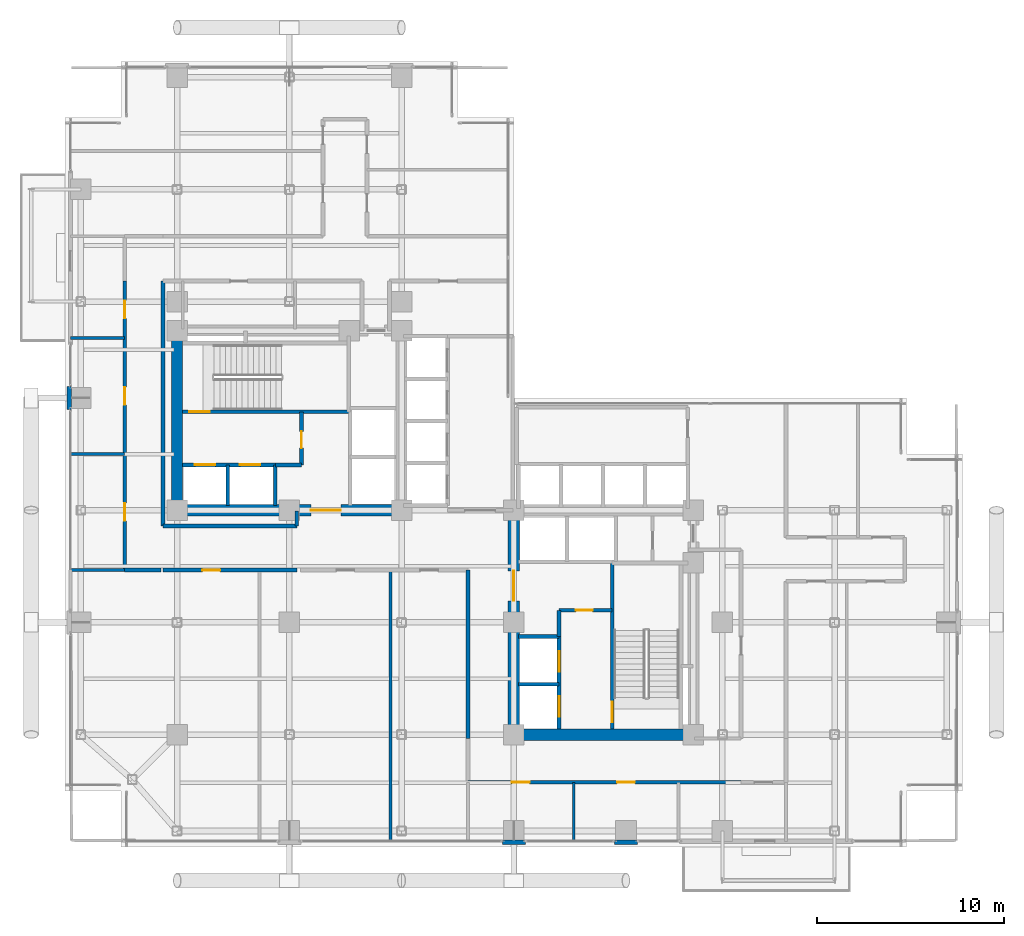
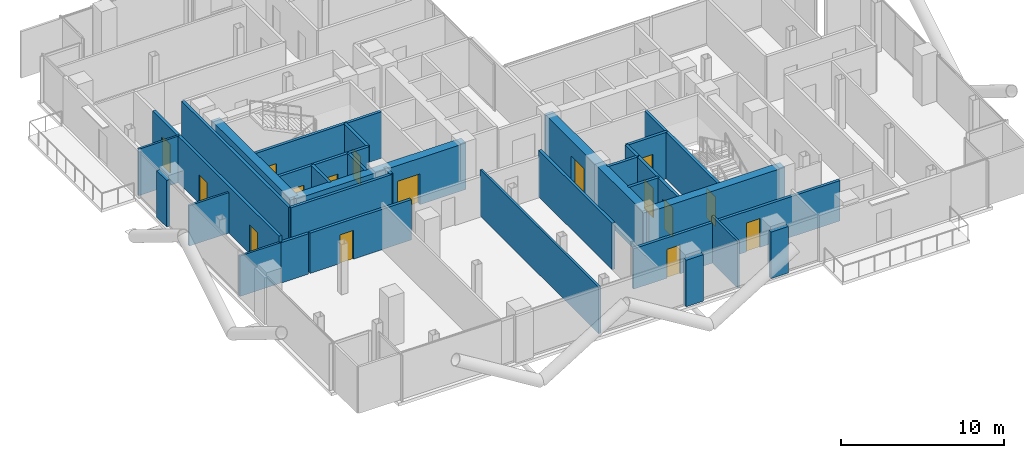
# One storey, part 22 of 28: 32 walls, 16 doors, 16 openings.
"""IFC4 building model written with IfcOpenShell, lengths in metres."""

import ifcopenshell
import ifcopenshell.guid

model = None  # the IFC model being written
_history = None  # IfcOwnerHistory: only IFC2X3 demands one
_inside = {}  # id of a spatial element -> (the spatial element, [elements in it])
_under = {}  # id of a project, library or spatial element -> (it, [spatial elements below it])
_declared = {}  # id of a project -> (the project, [libraries it declares])
_typed = {}  # id of a type object -> (the type object, [elements of that type])
_made_of = {}  # id of a material, layer set ... -> (it, [elements and type objects made of it])


def new_model(schema):
    """Start an empty IFC model of exactly this schema.

    Asked for "IFC4X3", IfcOpenShell would pick the latest addendum, in which some entities
    have other attributes; the version numbers below select the first issue.
    IFC2X3 requires an IfcOwnerHistory on every rooted entity: one is made here for all.
    """
    global model, _history
    if schema == "IFC4X3":
        model = ifcopenshell.file(schema_version=(4, 3, 0, 0))
    else:
        model = ifcopenshell.file(schema=schema)
    _inside.clear()
    _under.clear()
    _declared.clear()
    _typed.clear()
    _made_of.clear()
    _history = None
    if model.schema == "IFC2X3":
        org = make("IfcOrganization", Name="unknown")
        user = make(
            "IfcPersonAndOrganization",
            ThePerson=make("IfcPerson", FamilyName="unknown"),
            TheOrganization=org,
        )
        app = make(
            "IfcApplication",
            ApplicationDeveloper=org,
            Version="unknown",
            ApplicationFullName="unknown",
            ApplicationIdentifier="unknown",
        )
        _history = make(
            "IfcOwnerHistory",
            OwningUser=user,
            OwningApplication=app,
            ChangeAction="ADDED",
            CreationDate=0,
        )
    return model


def make(cls, **values):
    """One entity of the class cls with the attributes given. An attribute that is None is left unset."""
    return model.create_entity(
        cls, **{name: value for name, value in values.items() if value is not None}
    )


def rooted(cls, **values):
    """An entity with a GlobalId (a new one), such as an element, a storey or a relation."""
    return make(cls, GlobalId=ifcopenshell.guid.new(), OwnerHistory=_history, **values)


def si_unit(unit_type, name, prefix=None):
    """IfcSIUnit, for example si_unit("LENGTHUNIT", "METRE", prefix="MILLI")."""
    return make("IfcSIUnit", UnitType=unit_type, Prefix=prefix, Name=name)


def assignment(units):
    """IfcUnitAssignment: the units of a project."""
    return None if units is None else make("IfcUnitAssignment", Units=units)


def point(xyz):
    """IfcCartesianPoint."""
    return None if xyz is None else make("IfcCartesianPoint", Coordinates=xyz)


def direction(xyz):
    """IfcDirection."""
    return None if xyz is None else make("IfcDirection", DirectionRatios=xyz)


def frame(location, z_axis=None, x_axis=None):
    """IfcAxis2Placement3D, a coordinate frame: its origin and axes. An axis left out is left unset."""
    return make(
        "IfcAxis2Placement3D",
        Location=point(location),
        Axis=direction(z_axis),
        RefDirection=direction(x_axis),
    )


def frame_2d(location, x_axis=None):
    """IfcAxis2Placement2D, a coordinate frame in the plane: its origin and x axis."""
    return make(
        "IfcAxis2Placement2D", Location=point(location), RefDirection=direction(x_axis)
    )


def origin():
    """The frame at (0, 0, 0) with its axes left unset."""
    return frame((0.0, 0.0, 0.0))


def place(relative_to, where):
    """IfcLocalPlacement: puts the frame where relative to a parent placement (None: the world)."""
    return make(
        "IfcLocalPlacement", PlacementRelTo=relative_to, RelativePlacement=where
    )


def context(
    kind, dimensions, precision=None, world=None, true_north=None, identifier=None
):
    """IfcGeometricRepresentationContext, for example the 3D "Model" context."""
    return make(
        "IfcGeometricRepresentationContext",
        ContextIdentifier=identifier,
        ContextType=kind,
        CoordinateSpaceDimension=dimensions,
        Precision=precision,
        WorldCoordinateSystem=world,
        TrueNorth=true_north,
    )


def subcontext(parent, identifier, kind, view, scale=None):
    """IfcGeometricRepresentationSubContext, for example "Body" below "Model"."""
    return make(
        "IfcGeometricRepresentationSubContext",
        ContextIdentifier=identifier,
        ContextType=kind,
        ParentContext=parent,
        TargetScale=scale,
        TargetView=view,
    )


def project(units=None, contexts=None):
    """IfcProject with its units and contexts."""
    return rooted(
        "IfcProject",
        Name="project",
        RepresentationContexts=contexts,
        UnitsInContext=assignment(units),
    )


def spatial(cls, under=None, at=None, **own):
    """A site, building, storey or space (cls), placed at a placement, below another one or the project."""
    s = rooted(cls, ObjectPlacement=at, **own)
    if under is not None:
        _under.setdefault(under.id(), (under, []))[1].append(s)
    return s


def profile(cls, at=None, kind="AREA", **sizes):
    """A parametric profile (cls). Its sizes go by their IFC names, for example OverallWidth=200.0."""
    return make(cls, ProfileType=kind, Position=at, **sizes)


def rectangle(**sizes):
    """IfcRectangleProfileDef."""
    return profile("IfcRectangleProfileDef", **sizes)


def extrude(swept, where, along, depth):
    """IfcExtrudedAreaSolid: the profile swept, set in the frame where, extruded along a direction by depth."""
    return make(
        "IfcExtrudedAreaSolid",
        SweptArea=swept,
        Position=where,
        ExtrudedDirection=direction(along),
        Depth=depth,
    )


def shape(context_of_items, identifier, shape_type, items):
    """IfcShapeRepresentation: the items that make up one representation, for example the "Body"."""
    return make(
        "IfcShapeRepresentation",
        ContextOfItems=context_of_items,
        RepresentationIdentifier=identifier,
        RepresentationType=shape_type,
        Items=items,
    )


def material(Name=None, Category=None):
    """IfcMaterial."""
    return make("IfcMaterial", Name=Name, Category=Category)


def layer(
    of_material, thickness, ventilated=None, Name=None, Category=None, Priority=None
):
    """IfcMaterialLayer: one layer of a wall or slab, of a material (None: an air gap)."""
    return make(
        "IfcMaterialLayer",
        Material=of_material,
        LayerThickness=thickness,
        IsVentilated=ventilated,
        Name=Name,
        Category=Category,
        Priority=Priority,
    )


def layer_set(layers, Name=None):
    """IfcMaterialLayerSet."""
    return make("IfcMaterialLayerSet", MaterialLayers=layers, LayerSetName=Name)


def made_of(thing, what):
    """Note that an element or type object is made of a material, layer set ...; save() writes the relation."""
    if what is not None:
        _made_of.setdefault(what.id(), (what, []))[1].append(thing)
    return thing


def type_object(cls, material=None, **own):
    """A type object (cls), such as IfcWallType, which elements share."""
    return made_of(rooted(cls, **own), material)


def element(
    cls,
    number,
    at=None,
    inside=None,
    cuts=None,
    type_object=None,
    material=None,
    context=None,
    identifier="Body",
    shape_type=None,
    held_by="IfcProductDefinitionShape",
    body=None,
    shapes=None,
    **own,
):
    """One element of the class cls, such as IfcWall. Its Tag is "e" and its number.

    at: its placement. inside: the storey or other place that contains it. cuts: it is an
    opening in that element (IfcRelVoidsElement). A single representation is given by context,
    identifier, shape_type and body (its items); several are given by shapes. held_by: the class
    of the entity that holds the representations. save() writes the other relations.
    """
    e = rooted(cls, Tag="e%d" % number, ObjectPlacement=at, **own)
    if body is not None:
        shapes = [shape(context, identifier, shape_type, body)]
    if shapes is not None:
        e.Representation = make(held_by, Representations=shapes)
    if inside is not None:
        _inside.setdefault(inside.id(), (inside, []))[1].append(e)
    if cuts is not None:
        rooted(
            "IfcRelVoidsElement", RelatingBuildingElement=cuts, RelatedOpeningElement=e
        )
    if type_object is not None:
        _typed.setdefault(type_object.id(), (type_object, []))[1].append(e)
    return made_of(e, material)


def fill(opening, filler):
    """IfcRelFillsElement: the door or window that sits in an opening."""
    return rooted(
        "IfcRelFillsElement",
        RelatingOpeningElement=opening,
        RelatedBuildingElement=filler,
    )


def aggregate(whole, parts):
    """IfcRelAggregates: a whole, such as a stair, and the parts it consists of."""
    return rooted("IfcRelAggregates", RelatingObject=whole, RelatedObjects=parts)


def save(model, path):
    """Write the relations noted so far, then the file.

    IfcRelAggregates (storeys below a building ...), IfcRelContainedInSpatialStructure (elements
    in a storey), IfcRelDefinesByType, IfcRelAssociatesMaterial and IfcRelDeclares: one each for
    every whole, place, type object, material and project.
    """
    for whole, parts in _under.values():
        aggregate(whole, parts)
    for where, things in _inside.values():
        rooted(
            "IfcRelContainedInSpatialStructure",
            RelatedElements=things,
            RelatingStructure=where,
        )
    for kind, things in _typed.values():
        rooted("IfcRelDefinesByType", RelatedObjects=things, RelatingType=kind)
    for what, things in _made_of.values():
        rooted("IfcRelAssociatesMaterial", RelatedObjects=things, RelatingMaterial=what)
    for by, libraries in _declared.values():
        rooted("IfcRelDeclares", RelatingContext=by, RelatedDefinitions=libraries)
    model.write(path)


model = new_model("IFC4")

# Units and contexts
model_context = context("Model", 3, precision=1e-05, world=origin(), true_north=direction((0.0, 1.0)))
body_context = subcontext(model_context, "Body", "Model", "MODEL_VIEW")
ifc_project = project(units=[si_unit("LENGTHUNIT", "METRE"), si_unit("AREAUNIT", "SQUARE_METRE"), si_unit("VOLUMEUNIT", "CUBIC_METRE"), si_unit("PLANEANGLEUNIT", "RADIAN"), si_unit("MASSUNIT", "GRAM", prefix="KILO"), si_unit("THERMODYNAMICTEMPERATUREUNIT", "KELVIN"), si_unit("POWERUNIT", "WATT")], contexts=[model_context])

# Site, building, storey
site_placement = place(None, origin())
site = spatial("IfcSite", under=ifc_project, at=site_placement, CompositionType="ELEMENT")
building_placement = place(site_placement, origin())
building = spatial("IfcBuilding", under=site, at=building_placement, Name="Svarakhadi Broadcast Tower", CompositionType="ELEMENT")
storey_placement = place(building_placement, frame((0.0, 0.0, 107.10009765625)))
storey = spatial("IfcBuildingStorey", under=building, at=storey_placement, Name="L25", CompositionType="ELEMENT", Elevation=107.10009765625)

# Wall, openings, doors
ifc_material_1 = material(Name="Double-Stud Acoustic Studio Partition STC-62", Category="gypsum")
ifc_layer_1 = layer(ifc_material_1, 0.199951171875)
ifc_layer_set_1 = layer_set([ifc_layer_1], Name="Double-Stud Acoustic Studio Partition STC-62")
wall_type_1 = type_object("IfcWallType", Name="Wall_Acoust_200", PredefinedType="PARTITIONING", material=ifc_layer_set_1)
wall_1_placement = place(storey_placement, frame((36.14990234375, 3.449951171875, 0.0), z_axis=(0.0, 0.0, 1.0), x_axis=(-1.0, 0.0, 0.0)))
wall_1 = element("IfcWall", 1, at=wall_1_placement, inside=storey, type_object=wall_type_1, Name="L25 Broadcast Corridor Wall", PredefinedType="PARTITIONING", context=body_context, shape_type="SweptSolid", body=[
    extrude(rectangle(XDim=14.599853515625, YDim=0.199951171875, at=frame_2d((7.2998046875, 0.0))), origin(), (0.0, 0.0, 1.0), 3.016845703125),
])
opening_1_placement = place(wall_1_placement, frame((11.300048828125, 0.0, 0.0)))
opening_1 = element("IfcOpeningElement", 2, at=opening_1_placement, cuts=wall_1, Name="Opening D-07", PredefinedType="OPENING", context=body_context, shape_type="SweptSolid", body=[
    extrude(rectangle(XDim=0.949951171875, YDim=2.14990234375, at=frame_2d((0.47509765625, 1.074951171875))), frame((0.0, 0.10986328125, 0.0), z_axis=(0.0, -1.0, 0.0), x_axis=(1.0, 0.0, 0.0)), (0.0, 0.0, 1.0), 0.219970703125),
])
opening_2_placement = place(wall_1_placement, frame((5.675048828125, 0.0, 0.0)))
opening_2 = element("IfcOpeningElement", 3, at=opening_2_placement, cuts=wall_1, Name="Opening D-06", PredefinedType="OPENING", context=body_context, shape_type="SweptSolid", body=[
    extrude(rectangle(XDim=0.949951171875, YDim=2.14990234375, at=frame_2d((0.47509765625, 1.074951171875))), frame((0.0, 0.10986328125, 0.0), z_axis=(0.0, -1.0, 0.0), x_axis=(1.0, 0.0, 0.0)), (0.0, 0.0, 1.0), 0.219970703125),
])
ifc_material_2 = material(Name="Solid-Core Teak Veneer Acoustic Timber Leaf", Category="wood")
door_type_1 = type_object("IfcDoorType", Name="Door_Office_D06", OperationType="SINGLE_SWING_LEFT", PredefinedType="DOOR", material=ifc_material_2)
door_1_placement = place(opening_2_placement, origin())
door_1 = element("IfcDoor", 4, at=door_1_placement, inside=storey, type_object=door_type_1, Name="L25 Media Legal Review Office Door", OperationType="SINGLE_SWING_LEFT", OverallHeight=2.14990234375, OverallWidth=0.949951171875, PredefinedType="DOOR", context=body_context, shape_type="SweptSolid", body=[
    extrude(rectangle(XDim=0.949951171875, YDim=2.14990234375, at=frame_2d((0.47509765625, 1.074951171875))), frame((0.0, 0.02490234375, 0.0), z_axis=(0.0, -1.0, 0.0), x_axis=(1.0, 0.0, 0.0)), (0.0, 0.0, 1.0), 0.050048828125),
])
fill(opening_2, door_1)
door_type_2 = type_object("IfcDoorType", Name="Door_Office_D07", OperationType="SINGLE_SWING_RIGHT", PredefinedType="DOOR", material=ifc_material_2)
door_2_placement = place(opening_1_placement, origin())
door_2 = element("IfcDoor", 5, at=door_2_placement, inside=storey, type_object=door_type_2, Name="L25 South Harbour Editorial Desk Door", OperationType="SINGLE_SWING_RIGHT", OverallHeight=2.14990234375, OverallWidth=0.949951171875, PredefinedType="DOOR", context=body_context, shape_type="SweptSolid", body=[
    extrude(rectangle(XDim=0.949951171875, YDim=2.14990234375, at=frame_2d((0.47509765625, 1.074951171875))), frame((0.0, 0.02490234375, 0.0), z_axis=(0.0, -1.0, 0.0), x_axis=(1.0, 0.0, 0.0)), (0.0, 0.0, 1.0), 0.050048828125),
])
fill(opening_1, door_2)

# Wall
wall_2_placement = place(storey_placement, frame((21.550048828125, 5.800048828125, 0.0), z_axis=(0.0, 0.0, 1.0), x_axis=(0.0, 1.0, 0.0)))
element("IfcWall", 6, at=wall_2_placement, inside=storey, type_object=wall_type_1, Name="L25 Broadcast Corridor Wall", PredefinedType="PARTITIONING", context=body_context, shape_type="SweptSolid", body=[
    extrude(rectangle(XDim=9.0, YDim=0.199951171875, at=frame_2d((4.5, 0.0))), origin(), (0.0, 0.0, 1.0), 3.474853515625),
])

# Wall, opening, door
wall_3_placement = place(storey_placement, frame((12.39990234375, 14.800048828125, 0.0), z_axis=(0.0, 0.0, 1.0), x_axis=(-1.0, 0.0, 0.0)))
wall_3 = element("IfcWall", 7, at=wall_3_placement, inside=storey, type_object=wall_type_1, Name="L25 Broadcast Corridor Wall", PredefinedType="PARTITIONING", context=body_context, shape_type="SweptSolid", body=[
    extrude(rectangle(XDim=7.14990234375, YDim=0.199951171875, at=frame_2d((3.574951171875, 0.0))), origin(), (0.0, 0.0, 1.0), 3.016845703125),
])
opening_3_placement = place(wall_3_placement, frame((4.10009765625, 0.0, 0.0)))
opening_3 = element("IfcOpeningElement", 8, at=opening_3_placement, cuts=wall_3, Name="Opening D-07", PredefinedType="OPENING", context=body_context, shape_type="SweptSolid", body=[
    extrude(rectangle(XDim=0.949951171875, YDim=2.14990234375, at=frame_2d((0.47509765625, 1.074951171875))), frame((0.0, 0.10986328125, 0.0), z_axis=(0.0, -1.0, 0.0), x_axis=(1.0, 0.0, 0.0)), (0.0, 0.0, 1.0), 0.219970703125),
])
door_3_placement = place(opening_3_placement, origin())
door_3 = element("IfcDoor", 9, at=door_3_placement, inside=storey, type_object=door_type_2, Name="L25 Live Sports Commentary Production Hall Door", OperationType="SINGLE_SWING_RIGHT", OverallHeight=2.14990234375, OverallWidth=0.949951171875, PredefinedType="DOOR", context=body_context, shape_type="SweptSolid", body=[
    extrude(rectangle(XDim=0.949951171875, YDim=2.14990234375, at=frame_2d((0.47509765625, 1.074951171875))), frame((0.0, 0.02490234375, 0.0), z_axis=(0.0, -1.0, 0.0), x_axis=(1.0, 0.0, 0.0)), (0.0, 0.0, 1.0), 0.050048828125),
])
fill(opening_3, door_3)

# Wall
wall_4_placement = place(storey_placement, frame((5.14990234375, 14.800048828125, 0.0), z_axis=(0.0, 0.0, 1.0), x_axis=(-1.0, 0.0, 0.0)))
element("IfcWall", 10, at=wall_4_placement, inside=storey, type_object=wall_type_1, Name="L25 Broadcast Corridor Wall", PredefinedType="PARTITIONING", context=body_context, shape_type="SweptSolid", body=[
    extrude(rectangle(XDim=1.949951171875, YDim=0.199951171875, at=frame_2d((0.97509765625, 0.0))), origin(), (0.0, 0.0, 1.0), 3.016845703125),
])

# Wall, openings, doors
wall_5_placement = place(storey_placement, frame((3.199951171875, 14.800048828125, 0.0), z_axis=(0.0, 0.0, 1.0), x_axis=(0.0, 1.0, 0.0)))
wall_5 = element("IfcWall", 11, at=wall_5_placement, inside=storey, type_object=wall_type_1, Name="L25 Broadcast Corridor Wall", PredefinedType="PARTITIONING", context=body_context, shape_type="SweptSolid", body=[
    extrude(rectangle(XDim=15.449951171875, YDim=0.199951171875, at=frame_2d((7.72509765625, 0.0))), origin(), (0.0, 0.0, 1.0), 3.474853515625),
])
opening_4_placement = place(wall_5_placement, frame((2.625, 0.0, 0.0)))
opening_4 = element("IfcOpeningElement", 12, at=opening_4_placement, cuts=wall_5, Name="Opening D-06", PredefinedType="OPENING", context=body_context, shape_type="SweptSolid", body=[
    extrude(rectangle(XDim=0.949951171875, YDim=2.14990234375, at=frame_2d((0.47509765625, 1.074951171875))), frame((0.0, 0.10986328125, 0.0), z_axis=(0.0, -1.0, 0.0), x_axis=(1.0, 0.0, 0.0)), (0.0, 0.0, 1.0), 0.219970703125),
])
opening_5_placement = place(wall_5_placement, frame((8.824951171875, 0.0, 0.0)))
opening_5 = element("IfcOpeningElement", 13, at=opening_5_placement, cuts=wall_5, Name="Opening D-07", PredefinedType="OPENING", context=body_context, shape_type="SweptSolid", body=[
    extrude(rectangle(XDim=0.949951171875, YDim=2.14990234375, at=frame_2d((0.47509765625, 1.074951171875))), frame((0.0, 0.10986328125, 0.0), z_axis=(0.0, -1.0, 0.0), x_axis=(1.0, 0.0, 0.0)), (0.0, 0.0, 1.0), 0.219970703125),
])
opening_6_placement = place(wall_5_placement, frame((13.449951171875, 0.0, 0.0)))
opening_6 = element("IfcOpeningElement", 14, at=opening_6_placement, cuts=wall_5, Name="Opening D-06", PredefinedType="OPENING", context=body_context, shape_type="SweptSolid", body=[
    extrude(rectangle(XDim=0.949951171875, YDim=2.14990234375, at=frame_2d((0.47509765625, 1.074951171875))), frame((0.0, 0.10986328125, 0.0), z_axis=(0.0, -1.0, 0.0), x_axis=(1.0, 0.0, 0.0)), (0.0, 0.0, 1.0), 0.219970703125),
])
door_4_placement = place(opening_4_placement, origin())
door_4 = element("IfcDoor", 15, at=door_4_placement, inside=storey, type_object=door_type_1, Name="L25 Arabian Sea Commentary Booth Door", OperationType="SINGLE_SWING_LEFT", OverallHeight=2.14990234375, OverallWidth=0.949951171875, PredefinedType="DOOR", context=body_context, shape_type="SweptSolid", body=[
    extrude(rectangle(XDim=0.949951171875, YDim=2.14990234375, at=frame_2d((0.47509765625, 1.074951171875))), frame((0.0, 0.02490234375, 0.0), z_axis=(0.0, -1.0, 0.0), x_axis=(1.0, 0.0, 0.0)), (0.0, 0.0, 1.0), 0.050048828125),
])
fill(opening_4, door_4)
door_5_placement = place(opening_6_placement, origin())
door_5 = element("IfcDoor", 16, at=door_5_placement, inside=storey, type_object=door_type_1, Name="L25 Producer Quiet Lounge Door", OperationType="SINGLE_SWING_LEFT", OverallHeight=2.14990234375, OverallWidth=0.949951171875, PredefinedType="DOOR", context=body_context, shape_type="SweptSolid", body=[
    extrude(rectangle(XDim=0.949951171875, YDim=2.14990234375, at=frame_2d((0.47509765625, 1.074951171875))), frame((0.0, 0.02490234375, 0.0), z_axis=(0.0, -1.0, 0.0), x_axis=(1.0, 0.0, 0.0)), (0.0, 0.0, 1.0), 0.050048828125),
])
fill(opening_6, door_5)
door_6_placement = place(opening_5_placement, origin())
door_6 = element("IfcDoor", 17, at=door_6_placement, inside=storey, type_object=door_type_2, Name="L25 Live Translation Studio Door", OperationType="SINGLE_SWING_RIGHT", OverallHeight=2.14990234375, OverallWidth=0.949951171875, PredefinedType="DOOR", context=body_context, shape_type="SweptSolid", body=[
    extrude(rectangle(XDim=0.949951171875, YDim=2.14990234375, at=frame_2d((0.47509765625, 1.074951171875))), frame((0.0, 0.02490234375, 0.0), z_axis=(0.0, -1.0, 0.0), x_axis=(1.0, 0.0, 0.0)), (0.0, 0.0, 1.0), 0.050048828125),
])
fill(opening_5, door_6)

# Walls
wall_6_placement = place(storey_placement, frame((5.25, 30.25, 0.0), z_axis=(0.0, 0.0, 1.0), x_axis=(0.0, -1.0, 0.0)))
element("IfcWall", 18, at=wall_6_placement, inside=storey, type_object=wall_type_1, Name="L25 Broadcast Corridor Wall", PredefinedType="PARTITIONING", context=body_context, shape_type="SweptSolid", body=[
    extrude(rectangle(XDim=13.10009765625, YDim=0.199951171875, at=frame_2d((6.550048828125, 0.0))), origin(), (0.0, 0.0, 1.0), 3.474853515625),
])
wall_7_placement = place(storey_placement, frame((5.25, 17.14990234375, 0.0), z_axis=(0.0, 0.0, 1.0), x_axis=(1.0, 0.0, 0.0)))
element("IfcWall", 19, at=wall_7_placement, inside=storey, type_object=wall_type_1, Name="L25 Broadcast Corridor Wall", PredefinedType="PARTITIONING", context=body_context, shape_type="SweptSolid", body=[
    extrude(rectangle(XDim=7.14990234375, YDim=0.199951171875, at=frame_2d((3.574951171875, 0.0))), origin(), (0.0, 0.0, 1.0), 3.474853515625),
])
wall_8_placement = place(storey_placement, frame((12.39990234375, 17.14990234375, 0.0), z_axis=(0.0, 0.0, 1.0), x_axis=(0.0, 1.0, 0.0)))
element("IfcWall", 20, at=wall_8_placement, inside=storey, type_object=wall_type_1, Name="L25 Broadcast Corridor Wall", PredefinedType="PARTITIONING", context=body_context, shape_type="SweptSolid", body=[
    extrude(rectangle(XDim=0.800048828125, YDim=0.199951171875, at=frame_2d((0.39990234375, 0.0))), origin(), (0.0, 0.0, 1.0), 3.474853515625),
])
ifc_material_3 = material(Name="Concrete C40/50 (IS 456 M50)", Category="concrete")
ifc_layer_2 = layer(ifc_material_3, 0.239990234375)
ifc_layer_set_2 = layer_set([ifc_layer_2], Name="Concrete C40/50 (IS 456 M50)")
wall_type_2 = type_object("IfcWallType", Name="Wall_Ext_240", PredefinedType="SOLIDWALL", material=ifc_layer_set_2)
for number, where, z_axis, x_axis, name in (
    (21, (0.239990234375, 23.385009765625, 0.0), (0.0, 0.0, 1.0), (0.0, 1.0, 0.0), "L25 Perimeter Bronze Spandrel Closure Wall 02"),
    (22, (30.614990234375, 0.239990234375, 0.0), (0.0, 0.0, 1.0), (-1.0, 0.0, 0.0), "L25 Perimeter Bronze Spandrel Closure Wall 06"),
    (23, (24.614990234375, 0.239990234375, 0.0), (0.0, 0.0, 1.0), (-1.0, 0.0, 0.0), "L25 Perimeter Bronze Spandrel Closure Wall 07"),
):
    element("IfcWall", number, at=place(storey_placement, frame(where, z_axis=z_axis, x_axis=x_axis)), inside=storey, type_object=wall_type_2, Name=name, PredefinedType="SOLIDWALL", context=body_context, shape_type="SweptSolid", body=[
        extrude(rectangle(XDim=1.22998046875, YDim=0.239990234375, at=frame_2d((0.614990234375, 0.0))), origin(), (0.0, 0.0, 1.0), 3.474853515625),
    ])
ifc_material_4 = material(Name="Autoclaved Aerated Concrete Blockwork 150 mm", Category="masonry")
ifc_layer_3 = layer(ifc_material_4, 0.14990234375)
ifc_layer_set_3 = layer_set([ifc_layer_3], Name="Autoclaved Aerated Concrete Blockwork 150 mm")
wall_type_3 = type_object("IfcWallType", Name="Wall_Part_150", PredefinedType="PARTITIONING", material=ifc_layer_set_3)
wall_9_placement = place(storey_placement, frame((17.39990234375, 0.300048828125, 0.0), z_axis=(0.0, 0.0, 1.0), x_axis=(0.0, 1.0, 0.0)))
element("IfcWall", 24, at=wall_9_placement, inside=storey, type_object=wall_type_3, Name="L25 Multi-Feed Replay Screening Room Wall", PredefinedType="PARTITIONING", context=body_context, shape_type="SweptSolid", body=[
    extrude(rectangle(XDim=14.5, YDim=0.14990234375, at=frame_2d((7.25, 0.0))), origin(), (0.0, 0.0, 1.0), 3.474853515625),
])
for number, where, z_axis, x_axis, name in (
    (25, (0.300048828125, 14.800048828125, 0.0), (0.0, 0.0, 1.0), (1.0, 0.0, 0.0), "L25 Arabian Sea Commentary Booth Wall"),
    (26, (0.300048828125, 21.0, 0.0), (0.0, 0.0, 1.0), (1.0, 0.0, 0.0), "L25 Arabian Sea Commentary Booth Wall"),
):
    element("IfcWall", number, at=place(storey_placement, frame(where, z_axis=z_axis, x_axis=x_axis)), inside=storey, type_object=wall_type_3, Name=name, PredefinedType="PARTITIONING", context=body_context, shape_type="SweptSolid", body=[
        extrude(rectangle(XDim=2.89990234375, YDim=0.14990234375, at=frame_2d((1.449951171875, 0.0))), origin(), (0.0, 0.0, 1.0), 3.016845703125),
    ])
wall_10_placement = place(storey_placement, frame((0.300048828125, 27.199951171875, 0.0), z_axis=(0.0, 0.0, 1.0), x_axis=(1.0, 0.0, 0.0)))
element("IfcWall", 27, at=wall_10_placement, inside=storey, type_object=wall_type_3, Name="L25 Live Translation Studio Wall", PredefinedType="PARTITIONING", context=body_context, shape_type="SweptSolid", body=[
    extrude(rectangle(XDim=2.89990234375, YDim=0.14990234375, at=frame_2d((1.449951171875, 0.0))), origin(), (0.0, 0.0, 1.0), 3.474853515625),
])
wall_11_placement = place(storey_placement, frame((27.199951171875, 0.300048828125, 0.0), z_axis=(0.0, 0.0, 1.0), x_axis=(0.0, 1.0, 0.0)))
element("IfcWall", 28, at=wall_11_placement, inside=storey, type_object=wall_type_3, Name="L25 South Harbour Editorial Desk Wall", PredefinedType="PARTITIONING", context=body_context, shape_type="SweptSolid", body=[
    extrude(rectangle(XDim=3.14990234375, YDim=0.14990234375, at=frame_2d((1.574951171875, 0.0))), origin(), (0.0, 0.0, 1.0), 3.474853515625),
])

# Wall, opening, door
ifc_material_5 = material(Name="Concrete C50/60 (IS 456 M60)", Category="concrete")
ifc_layer_4 = layer(ifc_material_5, 0.199951171875)
ifc_layer_set_4 = layer_set([ifc_layer_4], Name="Concrete C50/60 (IS 456 M60)")
wall_type_4 = type_object("IfcWallType", Name="Wall_Shear_200", PredefinedType="SHEAR", material=ifc_layer_set_4)
wall_12_placement = place(storey_placement, frame((6.300048828125, 23.260009765625, 0.0), z_axis=(0.0, 0.0, 1.0), x_axis=(1.0, 0.0, 0.0)))
wall_12 = element("IfcWall", 29, at=wall_12_placement, inside=storey, type_object=wall_type_4, Name="L25 Stair ST-01 South RC Shaft Wall", PredefinedType="SHEAR", context=body_context, shape_type="SweptSolid", body=[
    extrude(rectangle(XDim=8.8798828125, YDim=0.199951171875, at=frame_2d((4.43994140625, 0.0))), origin(), (0.0, 0.0, 1.0), 3.474853515625),
])
opening_7_placement = place(wall_12_placement, frame((0.35009765625, 0.0, 0.0)))
opening_7 = element("IfcOpeningElement", 30, at=opening_7_placement, cuts=wall_12, Name="Opening D-01", PredefinedType="OPENING", context=body_context, shape_type="SweptSolid", body=[
    extrude(rectangle(XDim=1.10009765625, YDim=2.199951171875, at=frame_2d((0.550048828125, 1.10009765625))), frame((0.0, 0.10986328125, 0.0), z_axis=(0.0, -1.0, 0.0), x_axis=(1.0, 0.0, 0.0)), (0.0, 0.0, 1.0), 0.219970703125),
])
ifc_material_6 = material(Name="Galvanised Powder-Coated Fire-Rated Steel Leaf", Category="steel")
door_type_3 = type_object("IfcDoorType", Name="Door_Stair_D01", OperationType="SINGLE_SWING_LEFT", PredefinedType="DOOR", material=ifc_material_6)
door_7_placement = place(opening_7_placement, origin())
door_7 = element("IfcDoor", 31, at=door_7_placement, inside=storey, type_object=door_type_3, Name="L25 Protected Exit Stair ST-01 Fire Door", OperationType="SINGLE_SWING_LEFT", OverallHeight=2.199951171875, OverallWidth=1.10009765625, PredefinedType="DOOR", context=body_context, shape_type="SweptSolid", body=[
    extrude(rectangle(XDim=1.10009765625, YDim=2.199951171875, at=frame_2d((0.550048828125, 1.10009765625))), frame((0.0, 0.02490234375, 0.0), z_axis=(0.0, -1.0, 0.0), x_axis=(1.0, 0.0, 0.0)), (0.0, 0.0, 1.0), 0.050048828125),
])
fill(opening_7, door_7)

wall_13_placement = place(storey_placement, frame((29.260009765625, 6.300048828125, 0.0), z_axis=(0.0, 0.0, 1.0), x_axis=(0.0, 1.0, 0.0)))
wall_13 = element("IfcWall", 32, at=wall_13_placement, inside=storey, type_object=wall_type_4, Name="L25 Stair ST-02 West RC Shaft Wall", PredefinedType="SHEAR", context=body_context, shape_type="SweptSolid", body=[
    extrude(rectangle(XDim=8.8798828125, YDim=0.199951171875, at=frame_2d((4.43994140625, 0.0))), origin(), (0.0, 0.0, 1.0), 3.474853515625),
])
opening_8_placement = place(wall_13_placement, frame((0.35009765625, 0.0, 0.0)))
opening_8 = element("IfcOpeningElement", 33, at=opening_8_placement, cuts=wall_13, Name="Opening D-02", PredefinedType="OPENING", context=body_context, shape_type="SweptSolid", body=[
    extrude(rectangle(XDim=1.10009765625, YDim=2.199951171875, at=frame_2d((0.550048828125, 1.10009765625))), frame((0.0, 0.10986328125, 0.0), z_axis=(0.0, -1.0, 0.0), x_axis=(1.0, 0.0, 0.0)), (0.0, 0.0, 1.0), 0.219970703125),
])
door_type_4 = type_object("IfcDoorType", Name="Door_Stair_D02", OperationType="SINGLE_SWING_RIGHT", PredefinedType="DOOR", material=ifc_material_6)
door_8_placement = place(opening_8_placement, origin())
door_8 = element("IfcDoor", 34, at=door_8_placement, inside=storey, type_object=door_type_4, Name="L25 Protected Exit Stair ST-02 Fire Door", OperationType="SINGLE_SWING_RIGHT", OverallHeight=2.199951171875, OverallWidth=1.10009765625, PredefinedType="DOOR", context=body_context, shape_type="SweptSolid", body=[
    extrude(rectangle(XDim=1.10009765625, YDim=2.199951171875, at=frame_2d((0.550048828125, 1.10009765625))), frame((0.0, 0.02490234375, 0.0), z_axis=(0.0, -1.0, 0.0), x_axis=(1.0, 0.0, 0.0)), (0.0, 0.0, 1.0), 0.050048828125),
])
fill(opening_8, door_8)

# Wall, openings, doors
wall_14_placement = place(storey_placement, frame((6.300048828125, 20.419921875, 0.0), z_axis=(0.0, 0.0, 1.0), x_axis=(1.0, 0.0, 0.0)))
wall_14 = element("IfcWall", 35, at=wall_14_placement, inside=storey, type_object=wall_type_4, Name="L25 Firefighting Lift LF-01/02 Shaft Wall", PredefinedType="SHEAR", context=body_context, shape_type="SweptSolid", body=[
    extrude(rectangle(XDim=4.949951171875, YDim=0.199951171875, at=frame_2d((2.47509765625, 0.0))), origin(), (0.0, 0.0, 1.0), 3.474853515625),
])
opening_9_placement = place(wall_14_placement, frame((0.64990234375, 0.0, 0.0)))
opening_9 = element("IfcOpeningElement", 36, at=opening_9_placement, cuts=wall_14, Name="Opening LD-01", PredefinedType="OPENING", context=body_context, shape_type="SweptSolid", body=[
    extrude(rectangle(XDim=1.10009765625, YDim=2.199951171875, at=frame_2d((0.550048828125, 1.10009765625))), frame((0.0, 0.10986328125, 0.0), z_axis=(0.0, -1.0, 0.0), x_axis=(1.0, 0.0, 0.0)), (0.0, 0.0, 1.0), 0.219970703125),
])
opening_10_placement = place(wall_14_placement, frame((3.050048828125, 0.0, 0.0)))
opening_10 = element("IfcOpeningElement", 37, at=opening_10_placement, cuts=wall_14, Name="Opening LD-01", PredefinedType="OPENING", context=body_context, shape_type="SweptSolid", body=[
    extrude(rectangle(XDim=1.10009765625, YDim=2.199951171875, at=frame_2d((0.550048828125, 1.10009765625))), frame((0.0, 0.10986328125, 0.0), z_axis=(0.0, -1.0, 0.0), x_axis=(1.0, 0.0, 0.0)), (0.0, 0.0, 1.0), 0.219970703125),
])
door_type_5 = type_object("IfcDoorType", Name="Door_Lift_LD01", OperationType="SLIDING_TO_LEFT", PredefinedType="DOOR", material=ifc_material_6)
door_9_placement = place(opening_9_placement, origin())
door_9 = element("IfcDoor", 38, at=door_9_placement, inside=storey, type_object=door_type_5, Name="L25 Firefighting Lift LF-01 Landing Door", OperationType="SLIDING_TO_LEFT", OverallHeight=2.199951171875, OverallWidth=1.10009765625, PredefinedType="DOOR", context=body_context, shape_type="SweptSolid", body=[
    extrude(rectangle(XDim=1.10009765625, YDim=2.199951171875, at=frame_2d((0.550048828125, 1.10009765625))), frame((0.0, 0.02490234375, 0.0), z_axis=(0.0, -1.0, 0.0), x_axis=(1.0, 0.0, 0.0)), (0.0, 0.0, 1.0), 0.050048828125),
])
fill(opening_9, door_9)
door_10_placement = place(opening_10_placement, origin())
door_10 = element("IfcDoor", 39, at=door_10_placement, inside=storey, type_object=door_type_5, Name="L25 Firefighting Lift LF-02 Landing Door", OperationType="SLIDING_TO_LEFT", OverallHeight=2.199951171875, OverallWidth=1.10009765625, PredefinedType="DOOR", context=body_context, shape_type="SweptSolid", body=[
    extrude(rectangle(XDim=1.10009765625, YDim=2.199951171875, at=frame_2d((0.550048828125, 1.10009765625))), frame((0.0, 0.02490234375, 0.0), z_axis=(0.0, -1.0, 0.0), x_axis=(1.0, 0.0, 0.0)), (0.0, 0.0, 1.0), 0.050048828125),
])
fill(opening_10, door_10)

# Walls
for number, where, z_axis, x_axis, name in (
    (40, (8.699951171875, 18.25, 0.0), (0.0, 0.0, 1.0), (0.0, 1.0, 0.0), "L25 Firefighting Lift LF-01/02 Divider Wall"),
    (41, (11.25, 18.25, 0.0), (0.0, 0.0, 1.0), (0.0, 1.0, 0.0), "L25 Firefighting Lift LF-02 East Wall"),
):
    element("IfcWall", number, at=place(storey_placement, frame(where, z_axis=z_axis, x_axis=x_axis)), inside=storey, type_object=wall_type_4, Name=name, PredefinedType="SHEAR", context=body_context, shape_type="SweptSolid", body=[
        extrude(rectangle(XDim=2.169921875, YDim=0.199951171875, at=frame_2d((1.0849609375, 0.0))), origin(), (0.0, 0.0, 1.0), 3.474853515625),
    ])
wall_15_placement = place(storey_placement, frame((11.25, 20.419921875, 0.0), z_axis=(0.0, 0.0, 1.0), x_axis=(1.0, 0.0, 0.0)))
element("IfcWall", 42, at=wall_15_placement, inside=storey, type_object=wall_type_4, Name="L25 West Firefighting Lobby South Wall", PredefinedType="SHEAR", context=body_context, shape_type="SweptSolid", body=[
    extrude(rectangle(XDim=1.39990234375, YDim=0.199951171875, at=frame_2d((0.699951171875, 0.0))), origin(), (0.0, 0.0, 1.0), 3.474853515625),
])

# Wall, opening, door
wall_16_placement = place(storey_placement, frame((12.64990234375, 20.419921875, 0.0), z_axis=(0.0, 0.0, 1.0), x_axis=(0.0, 1.0, 0.0)))
wall_16 = element("IfcWall", 43, at=wall_16_placement, inside=storey, type_object=wall_type_4, Name="L25 West Firefighting Lobby East Wall", PredefinedType="SHEAR", context=body_context, shape_type="SweptSolid", body=[
    extrude(rectangle(XDim=2.840087890625, YDim=0.199951171875, at=frame_2d((1.419921875, 0.0))), origin(), (0.0, 0.0, 1.0), 3.474853515625),
])
opening_11_placement = place(wall_16_placement, frame((0.89990234375, 0.0, 0.0)))
opening_11 = element("IfcOpeningElement", 44, at=opening_11_placement, cuts=wall_16, Name="Opening D-03", PredefinedType="OPENING", context=body_context, shape_type="SweptSolid", body=[
    extrude(rectangle(XDim=0.89990234375, YDim=2.14990234375, at=frame_2d((0.449951171875, 1.074951171875))), frame((0.0, 0.10986328125, 0.0), z_axis=(0.0, -1.0, 0.0), x_axis=(1.0, 0.0, 0.0)), (0.0, 0.0, 1.0), 0.219970703125),
])
door_type_6 = type_object("IfcDoorType", Name="Door_Fire_D03", OperationType="SINGLE_SWING_LEFT", PredefinedType="DOOR", material=ifc_material_6)
door_11_placement = place(opening_11_placement, origin())
door_11 = element("IfcDoor", 45, at=door_11_placement, inside=storey, type_object=door_type_6, Name="L25 West Firefighting Lobby Fire Door", OperationType="SINGLE_SWING_LEFT", OverallHeight=2.14990234375, OverallWidth=0.89990234375, PredefinedType="DOOR", context=body_context, shape_type="SweptSolid", body=[
    extrude(rectangle(XDim=0.89990234375, YDim=2.14990234375, at=frame_2d((0.449951171875, 1.074951171875))), frame((0.0, 0.02490234375, 0.0), z_axis=(0.0, -1.0, 0.0), x_axis=(1.0, 0.0, 0.0)), (0.0, 0.0, 1.0), 0.050048828125),
])
fill(opening_11, door_11)

# Wall, openings, doors
wall_17_placement = place(storey_placement, frame((26.419921875, 6.300048828125, 0.0), z_axis=(0.0, 0.0, 1.0), x_axis=(0.0, 1.0, 0.0)))
wall_17 = element("IfcWall", 46, at=wall_17_placement, inside=storey, type_object=wall_type_4, Name="L25 Firefighting Lift LF-03/04 Shaft Wall", PredefinedType="SHEAR", context=body_context, shape_type="SweptSolid", body=[
    extrude(rectangle(XDim=4.949951171875, YDim=0.199951171875, at=frame_2d((2.47509765625, 0.0))), origin(), (0.0, 0.0, 1.0), 3.474853515625),
])
opening_12_placement = place(wall_17_placement, frame((0.64990234375, 0.0, 0.0)))
opening_12 = element("IfcOpeningElement", 47, at=opening_12_placement, cuts=wall_17, Name="Opening LD-01", PredefinedType="OPENING", context=body_context, shape_type="SweptSolid", body=[
    extrude(rectangle(XDim=1.10009765625, YDim=2.199951171875, at=frame_2d((0.550048828125, 1.10009765625))), frame((0.0, 0.10986328125, 0.0), z_axis=(0.0, -1.0, 0.0), x_axis=(1.0, 0.0, 0.0)), (0.0, 0.0, 1.0), 0.219970703125),
])
opening_13_placement = place(wall_17_placement, frame((3.050048828125, 0.0, 0.0)))
opening_13 = element("IfcOpeningElement", 48, at=opening_13_placement, cuts=wall_17, Name="Opening LD-01", PredefinedType="OPENING", context=body_context, shape_type="SweptSolid", body=[
    extrude(rectangle(XDim=1.10009765625, YDim=2.199951171875, at=frame_2d((0.550048828125, 1.10009765625))), frame((0.0, 0.10986328125, 0.0), z_axis=(0.0, -1.0, 0.0), x_axis=(1.0, 0.0, 0.0)), (0.0, 0.0, 1.0), 0.219970703125),
])
door_12_placement = place(opening_12_placement, origin())
door_12 = element("IfcDoor", 49, at=door_12_placement, inside=storey, type_object=door_type_5, Name="L25 Firefighting Lift LF-03 Landing Door", OperationType="SLIDING_TO_LEFT", OverallHeight=2.199951171875, OverallWidth=1.10009765625, PredefinedType="DOOR", context=body_context, shape_type="SweptSolid", body=[
    extrude(rectangle(XDim=1.10009765625, YDim=2.199951171875, at=frame_2d((0.550048828125, 1.10009765625))), frame((0.0, 0.02490234375, 0.0), z_axis=(0.0, -1.0, 0.0), x_axis=(1.0, 0.0, 0.0)), (0.0, 0.0, 1.0), 0.050048828125),
])
fill(opening_12, door_12)
door_13_placement = place(opening_13_placement, origin())
door_13 = element("IfcDoor", 50, at=door_13_placement, inside=storey, type_object=door_type_5, Name="L25 Firefighting Lift LF-04 Landing Door", OperationType="SLIDING_TO_LEFT", OverallHeight=2.199951171875, OverallWidth=1.10009765625, PredefinedType="DOOR", context=body_context, shape_type="SweptSolid", body=[
    extrude(rectangle(XDim=1.10009765625, YDim=2.199951171875, at=frame_2d((0.550048828125, 1.10009765625))), frame((0.0, 0.02490234375, 0.0), z_axis=(0.0, -1.0, 0.0), x_axis=(1.0, 0.0, 0.0)), (0.0, 0.0, 1.0), 0.050048828125),
])
fill(opening_13, door_13)

# Walls
for number, where, z_axis, x_axis, name in (
    (51, (24.25, 8.699951171875, 0.0), (0.0, 0.0, 1.0), (1.0, 0.0, 0.0), "L25 Firefighting Lift LF-03/04 Divider Wall"),
    (52, (24.25, 11.25, 0.0), (0.0, 0.0, 1.0), (1.0, 0.0, 0.0), "L25 Firefighting Lift LF-04 North Wall"),
):
    element("IfcWall", number, at=place(storey_placement, frame(where, z_axis=z_axis, x_axis=x_axis)), inside=storey, type_object=wall_type_4, Name=name, PredefinedType="SHEAR", context=body_context, shape_type="SweptSolid", body=[
        extrude(rectangle(XDim=2.169921875, YDim=0.199951171875, at=frame_2d((1.0849609375, 0.0))), origin(), (0.0, 0.0, 1.0), 3.474853515625),
    ])
wall_18_placement = place(storey_placement, frame((26.419921875, 11.25, 0.0), z_axis=(0.0, 0.0, 1.0), x_axis=(0.0, 1.0, 0.0)))
element("IfcWall", 53, at=wall_18_placement, inside=storey, type_object=wall_type_4, Name="L25 East Firefighting Lobby West Wall", PredefinedType="SHEAR", context=body_context, shape_type="SweptSolid", body=[
    extrude(rectangle(XDim=1.39990234375, YDim=0.199951171875, at=frame_2d((0.699951171875, 0.0))), origin(), (0.0, 0.0, 1.0), 3.474853515625),
])

# Wall, opening, door
wall_19_placement = place(storey_placement, frame((26.419921875, 12.64990234375, 0.0), z_axis=(0.0, 0.0, 1.0), x_axis=(1.0, 0.0, 0.0)))
wall_19 = element("IfcWall", 54, at=wall_19_placement, inside=storey, type_object=wall_type_4, Name="L25 East Firefighting Lobby North Wall", PredefinedType="SHEAR", context=body_context, shape_type="SweptSolid", body=[
    extrude(rectangle(XDim=2.840087890625, YDim=0.199951171875, at=frame_2d((1.419921875, 0.0))), origin(), (0.0, 0.0, 1.0), 3.474853515625),
])
opening_14_placement = place(wall_19_placement, frame((0.89990234375, 0.0, 0.0)))
opening_14 = element("IfcOpeningElement", 55, at=opening_14_placement, cuts=wall_19, Name="Opening D-04", PredefinedType="OPENING", context=body_context, shape_type="SweptSolid", body=[
    extrude(rectangle(XDim=0.89990234375, YDim=2.14990234375, at=frame_2d((0.449951171875, 1.074951171875))), frame((0.0, 0.10986328125, 0.0), z_axis=(0.0, -1.0, 0.0), x_axis=(1.0, 0.0, 0.0)), (0.0, 0.0, 1.0), 0.219970703125),
])
door_type_7 = type_object("IfcDoorType", Name="Door_Fire_D04", OperationType="SINGLE_SWING_RIGHT", PredefinedType="DOOR", material=ifc_material_6)
door_14_placement = place(opening_14_placement, origin())
door_14 = element("IfcDoor", 56, at=door_14_placement, inside=storey, type_object=door_type_7, Name="L25 East Firefighting Lobby Fire Door", OperationType="SINGLE_SWING_RIGHT", OverallHeight=2.14990234375, OverallWidth=0.89990234375, PredefinedType="DOOR", context=body_context, shape_type="SweptSolid", body=[
    extrude(rectangle(XDim=0.89990234375, YDim=2.14990234375, at=frame_2d((0.449951171875, 1.074951171875))), frame((0.0, 0.02490234375, 0.0), z_axis=(0.0, -1.0, 0.0), x_axis=(1.0, 0.0, 0.0)), (0.0, 0.0, 1.0), 0.050048828125),
])
fill(opening_14, door_14)

ifc_material_7 = material(Name="Concrete C60/75 (IS 456 M70)", Category="concrete")
ifc_layer_5 = layer(ifc_material_7, 0.60009765625)
ifc_layer_set_5 = layer_set([ifc_layer_5], Name="Concrete C60/75 (IS 456 M70)")
wall_type_5 = type_object("IfcWallType", Name="Wall_Shear_600", PredefinedType="SHEAR", material=ifc_layer_set_5)
wall_20_placement = place(storey_placement, frame((6.0, 18.0, 0.0), z_axis=(0.0, 0.0, 1.0), x_axis=(1.0, 0.0, 0.0)))
wall_20 = element("IfcWall", 57, at=wall_20_placement, inside=storey, type_object=wall_type_5, Name="L25 West Core South Shear Wall", PredefinedType="SHEAR", context=body_context, shape_type="SweptSolid", body=[
    extrude(rectangle(XDim=12.0, YDim=0.60009765625, at=frame_2d((6.0, 0.0))), origin(), (0.0, 0.0, 1.0), 3.474853515625),
])
opening_15_placement = place(wall_20_placement, frame((7.14990234375, 0.0, 0.0)))
opening_15 = element("IfcOpeningElement", 58, at=opening_15_placement, cuts=wall_20, Name="Opening D-05", PredefinedType="OPENING", context=body_context, shape_type="SweptSolid", body=[
    extrude(rectangle(XDim=1.60009765625, YDim=2.300048828125, at=frame_2d((0.800048828125, 1.14990234375))), frame((0.0, 0.31005859375, 0.0), z_axis=(0.0, -1.0, 0.0), x_axis=(1.0, 0.0, 0.0)), (0.0, 0.0, 1.0), 0.6201171875),
])
ifc_material_8 = material(Name="Anodised Bronze Aluminium AA 6063-T6", Category="aluminium")
door_type_8 = type_object("IfcDoorType", Name="Door_Lobby_D05", OperationType="DOUBLE_DOOR_SLIDING", PredefinedType="DOOR", material=ifc_material_8)
door_15_placement = place(opening_15_placement, origin())
door_15 = element("IfcDoor", 59, at=door_15_placement, inside=storey, type_object=door_type_8, Name="L25 West Core Passenger Lift Lobby Entrance Door", OperationType="DOUBLE_DOOR_SLIDING", OverallHeight=2.300048828125, OverallWidth=1.60009765625, PredefinedType="DOOR", context=body_context, shape_type="SweptSolid", body=[
    extrude(rectangle(XDim=1.60009765625, YDim=2.300048828125, at=frame_2d((0.800048828125, 1.14990234375))), frame((0.0, 0.02490234375, 0.0), z_axis=(0.0, -1.0, 0.0), x_axis=(1.0, 0.0, 0.0)), (0.0, 0.0, 1.0), 0.050048828125),
])
fill(opening_15, door_15)

# Walls
for number, where, z_axis, x_axis, name in (
    (60, (6.0, 18.0, 0.0), (0.0, 0.0, 1.0), (0.0, 1.0, 0.0), "L25 West Core West Shear Wall"),
    (61, (24.0, 6.0, 0.0), (0.0, 0.0, 1.0), (1.0, 0.0, 0.0), "L25 East Core South Shear Wall"),
):
    element("IfcWall", number, at=place(storey_placement, frame(where, z_axis=z_axis, x_axis=x_axis)), inside=storey, type_object=wall_type_5, Name=name, PredefinedType="SHEAR", context=body_context, shape_type="SweptSolid", body=[
        extrude(rectangle(XDim=9.60009765625, YDim=0.60009765625, at=frame_2d((4.800048828125, 0.0))), origin(), (0.0, 0.0, 1.0), 3.474853515625),
    ])

# Wall, opening, door
wall_21_placement = place(storey_placement, frame((24.0, 6.0, 0.0), z_axis=(0.0, 0.0, 1.0), x_axis=(0.0, 1.0, 0.0)))
wall_21 = element("IfcWall", 62, at=wall_21_placement, inside=storey, type_object=wall_type_5, Name="L25 East Core West Shear Wall", PredefinedType="SHEAR", context=body_context, shape_type="SweptSolid", body=[
    extrude(rectangle(XDim=12.0, YDim=0.60009765625, at=frame_2d((6.0, 0.0))), origin(), (0.0, 0.0, 1.0), 3.474853515625),
])
opening_16_placement = place(wall_21_placement, frame((7.14990234375, 0.0, 0.0)))
opening_16 = element("IfcOpeningElement", 63, at=opening_16_placement, cuts=wall_21, Name="Opening D-05", PredefinedType="OPENING", context=body_context, shape_type="SweptSolid", body=[
    extrude(rectangle(XDim=1.60009765625, YDim=2.300048828125, at=frame_2d((0.800048828125, 1.14990234375))), frame((0.0, 0.31005859375, 0.0), z_axis=(0.0, -1.0, 0.0), x_axis=(1.0, 0.0, 0.0)), (0.0, 0.0, 1.0), 0.6201171875),
])
door_16_placement = place(opening_16_placement, origin())
door_16 = element("IfcDoor", 64, at=door_16_placement, inside=storey, type_object=door_type_8, Name="L25 East Core Passenger Lift Lobby Entrance Door", OperationType="DOUBLE_DOOR_SLIDING", OverallHeight=2.300048828125, OverallWidth=1.60009765625, PredefinedType="DOOR", context=body_context, shape_type="SweptSolid", body=[
    extrude(rectangle(XDim=1.60009765625, YDim=2.300048828125, at=frame_2d((0.800048828125, 1.14990234375))), frame((0.0, 0.02490234375, 0.0), z_axis=(0.0, -1.0, 0.0), x_axis=(1.0, 0.0, 0.0)), (0.0, 0.0, 1.0), 0.050048828125),
])
fill(opening_16, door_16)

save(model, "model.ifc")
